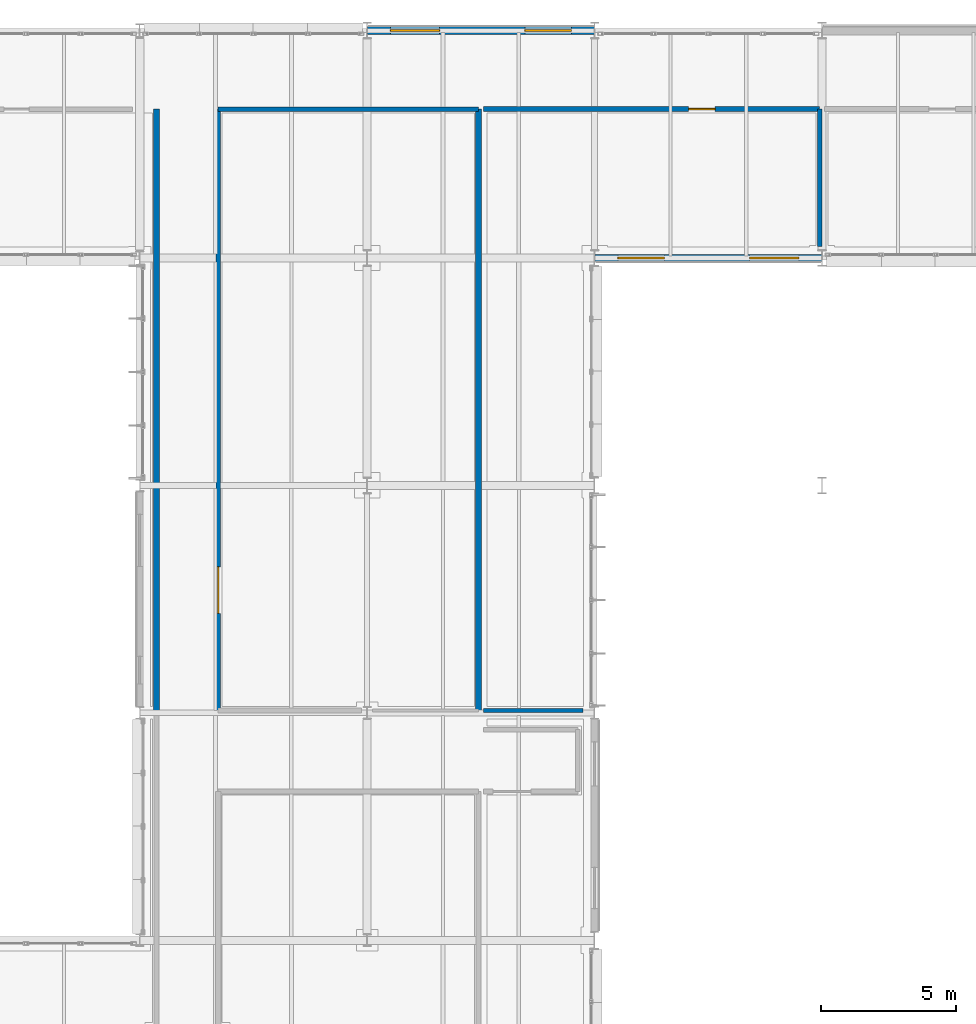
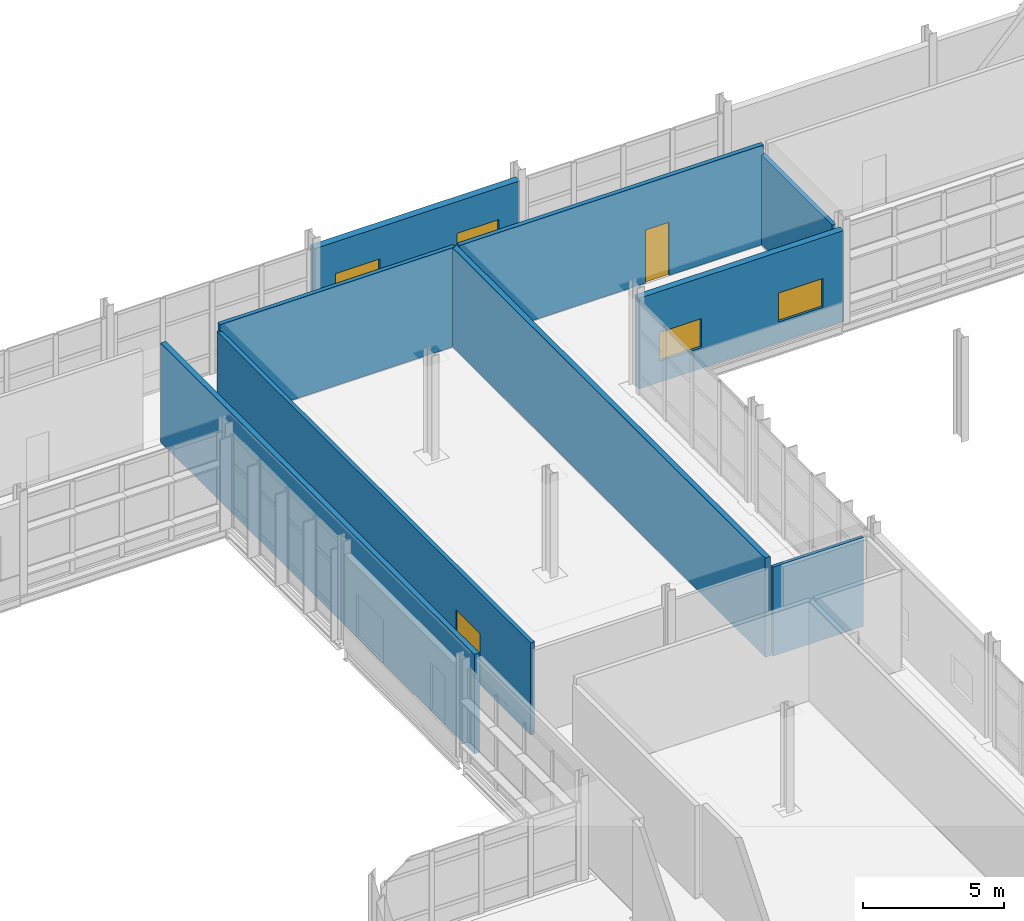
# One storey, part 100 of 129: 9 walls, 4 windows, 2 doors, 6 openings.
"""IFC4 building model written with IfcOpenShell, lengths in metres."""

from ifc_helpers import new_model, si_unit, direction, frame, frame_2d, origin, place, context, subcontext, project, spatial, rectangle, extrude, material, layer, layer_set, type_object, element, fill, save


model = new_model("IFC4")

# Units and contexts
model_context = context("Model", 3, precision=1e-05, world=origin(), true_north=direction((0.0, 1.0)))
body_context = subcontext(model_context, "Body", "Model", "MODEL_VIEW")
ifc_project = project(units=[si_unit("LENGTHUNIT", "METRE"), si_unit("AREAUNIT", "SQUARE_METRE"), si_unit("VOLUMEUNIT", "CUBIC_METRE"), si_unit("PLANEANGLEUNIT", "RADIAN"), si_unit("MASSUNIT", "GRAM", prefix="KILO")], contexts=[model_context])

# Site, building, storey
site_placement = place(None, origin())
site = spatial("IfcSite", under=ifc_project, at=site_placement, CompositionType="ELEMENT")
building_placement = place(site_placement, origin())
building = spatial("IfcBuilding", under=site, at=building_placement, Name="Mersafa Astral City Hall", CompositionType="ELEMENT")
storey_placement = place(building_placement, frame((0.0, 0.0, 5.39990234375)))
storey = spatial("IfcBuildingStorey", under=building, at=storey_placement, Name="L01", CompositionType="ELEMENT", Elevation=5.39990234375)

# Wall, openings, windows
ifc_material_1 = material(Name="Precast concrete C40/50 insulated limestone wall", Category="masonry")
ifc_layer_1 = layer(ifc_material_1, 0.264892578125, Name="Precast concrete C40/50 insulated limestone wall")
ifc_layer_set_1 = layer_set([ifc_layer_1], Name="Precast concrete C40/50 insulated limestone wall — ENV-WAL-EXT-265")
wall_type_1 = type_object("IfcWallType", Name="ENV-WAL-EXT-265", PredefinedType="STANDARD", material=ifc_layer_set_1)
wall_1_placement = place(storey_placement, frame((117.60791015625, 117.60009765625, 0.0), z_axis=(0.0, 0.0, 1.0), x_axis=(1.0, 0.0, 0.0)))
wall_1 = element("IfcWall", 1, at=wall_1_placement, inside=storey, type_object=wall_type_1, Name="L01 Limestone-clad exterior wall 93", PredefinedType="STANDARD", context=body_context, shape_type="SweptSolid", body=[
    extrude(rectangle(XDim=8.384033203125, YDim=0.264892578125, at=frame_2d((4.19189453125, 0.0))), origin(), (0.0, 0.0, 1.0), 3.922119140625),
])
opening_1_placement = place(wall_1_placement, frame((0.85009765625, 0.0, 0.89990234375)))
opening_1 = element("IfcOpeningElement", 2, at=opening_1_placement, cuts=wall_1, Name="Opening W-18", PredefinedType="OPENING", context=body_context, shape_type="SweptSolid", body=[
    extrude(rectangle(XDim=1.719970703125, YDim=1.25, at=frame_2d((0.85986328125, 0.625))), frame((0.0, 0.142333984375, 0.0), z_axis=(0.0, -1.0, 0.0), x_axis=(1.0, 0.0, 0.0)), (0.0, 0.0, 1.0), 0.284912109375),
])
opening_2_placement = place(wall_1_placement, frame((5.714111328125, 0.0, 0.89990234375)))
opening_2 = element("IfcOpeningElement", 3, at=opening_2_placement, cuts=wall_1, Name="Opening W-19", PredefinedType="OPENING", context=body_context, shape_type="SweptSolid", body=[
    extrude(rectangle(XDim=1.820068359375, YDim=1.25, at=frame_2d((0.91015625, 0.625))), frame((0.0, 0.142333984375, 0.0), z_axis=(0.0, -1.0, 0.0), x_axis=(1.0, 0.0, 0.0)), (0.0, 0.0, 1.0), 0.284912109375),
])
ifc_material_2 = material(Name="Solar control low-e double glazing in bronze frame", Category="glass")
window_type_1 = type_object("IfcWindowType", Name="ENV-WIN-W-18", PartitioningType="SINGLE_PANEL", PredefinedType="WINDOW", material=ifc_material_2)
window_1_placement = place(opening_1_placement, origin())
window_1 = element("IfcWindow", 4, at=window_1_placement, inside=storey, type_object=window_type_1, Name="L01 Solar punched window 93-L", OverallHeight=1.25, OverallWidth=1.719970703125, PartitioningType="SINGLE_PANEL", PredefinedType="WINDOW", context=body_context, shape_type="SweptSolid", body=[
    extrude(rectangle(XDim=1.719970703125, YDim=1.25, at=frame_2d((0.85986328125, 0.625))), frame((0.0, 0.030029296875, 0.0), z_axis=(0.0, -1.0, 0.0), x_axis=(1.0, 0.0, 0.0)), (0.0, 0.0, 1.0), 0.06005859375),
])
fill(opening_1, window_1)
window_type_2 = type_object("IfcWindowType", Name="ENV-WIN-W-19", PartitioningType="SINGLE_PANEL", PredefinedType="WINDOW", material=ifc_material_2)
window_2_placement = place(opening_2_placement, origin())
window_2 = element("IfcWindow", 5, at=window_2_placement, inside=storey, type_object=window_type_2, Name="L01 Solar punched window 93-R", OverallHeight=1.25, OverallWidth=1.820068359375, PartitioningType="SINGLE_PANEL", PredefinedType="WINDOW", context=body_context, shape_type="SweptSolid", body=[
    extrude(rectangle(XDim=1.820068359375, YDim=1.25, at=frame_2d((0.91015625, 0.625))), frame((0.0, 0.030029296875, 0.0), z_axis=(0.0, -1.0, 0.0), x_axis=(1.0, 0.0, 0.0)), (0.0, 0.0, 1.0), 0.06005859375),
])
fill(opening_2, window_2)

ifc_layer_2 = layer(ifc_material_1, 0.294921875, Name="Precast concrete C40/50 insulated limestone wall")
ifc_layer_set_2 = layer_set([ifc_layer_2], Name="Precast concrete C40/50 insulated limestone wall — ENV-WAL-EXT-295")
wall_type_2 = type_object("IfcWallType", Name="ENV-WAL-EXT-295", PredefinedType="STANDARD", material=ifc_layer_set_2)
wall_2_placement = place(storey_placement, frame((117.592041015625, 126.0, 0.0), z_axis=(0.0, 0.0, 1.0), x_axis=(-1.0, 0.0, 0.0)))
wall_2 = element("IfcWall", 6, at=wall_2_placement, inside=storey, type_object=wall_type_2, Name="L01 Limestone-clad exterior wall 115", PredefinedType="STANDARD", context=body_context, shape_type="SweptSolid", body=[
    extrude(rectangle(XDim=8.384033203125, YDim=0.294921875, at=frame_2d((4.19189453125, 0.0))), origin(), (0.0, 0.0, 1.0), 3.922119140625),
])
opening_3_placement = place(wall_2_placement, frame((0.85009765625, 0.0, 0.89990234375)))
opening_3 = element("IfcOpeningElement", 7, at=opening_3_placement, cuts=wall_2, Name="Opening W-38", PredefinedType="OPENING", context=body_context, shape_type="SweptSolid", body=[
    extrude(rectangle(XDim=1.719970703125, YDim=1.64990234375, at=frame_2d((0.85986328125, 0.824951171875))), frame((0.0, 0.157470703125, 0.0), z_axis=(0.0, -1.0, 0.0), x_axis=(1.0, 0.0, 0.0)), (0.0, 0.0, 1.0), 0.31494140625),
])
opening_4_placement = place(wall_2_placement, frame((5.714111328125, 0.0, 0.89990234375)))
opening_4 = element("IfcOpeningElement", 8, at=opening_4_placement, cuts=wall_2, Name="Opening W-39", PredefinedType="OPENING", context=body_context, shape_type="SweptSolid", body=[
    extrude(rectangle(XDim=1.820068359375, YDim=1.64990234375, at=frame_2d((0.91015625, 0.824951171875))), frame((0.0, 0.157470703125, 0.0), z_axis=(0.0, -1.0, 0.0), x_axis=(1.0, 0.0, 0.0)), (0.0, 0.0, 1.0), 0.31494140625),
])
window_type_3 = type_object("IfcWindowType", Name="ENV-WIN-W-38", PartitioningType="SINGLE_PANEL", PredefinedType="WINDOW", material=ifc_material_2)
window_3_placement = place(opening_3_placement, origin())
window_3 = element("IfcWindow", 9, at=window_3_placement, inside=storey, type_object=window_type_3, Name="L01 Solar punched window 115-L", OverallHeight=1.64990234375, OverallWidth=1.719970703125, PartitioningType="SINGLE_PANEL", PredefinedType="WINDOW", context=body_context, shape_type="SweptSolid", body=[
    extrude(rectangle(XDim=1.719970703125, YDim=1.64990234375, at=frame_2d((0.85986328125, 0.824951171875))), frame((0.0, 0.030029296875, 0.0), z_axis=(0.0, -1.0, 0.0), x_axis=(1.0, 0.0, 0.0)), (0.0, 0.0, 1.0), 0.06005859375),
])
fill(opening_3, window_3)
window_type_4 = type_object("IfcWindowType", Name="ENV-WIN-W-39", PartitioningType="SINGLE_PANEL", PredefinedType="WINDOW", material=ifc_material_2)
window_4_placement = place(opening_4_placement, origin())
window_4 = element("IfcWindow", 10, at=window_4_placement, inside=storey, type_object=window_type_4, Name="L01 Solar punched window 115-R", OverallHeight=1.64990234375, OverallWidth=1.820068359375, PartitioningType="SINGLE_PANEL", PredefinedType="WINDOW", context=body_context, shape_type="SweptSolid", body=[
    extrude(rectangle(XDim=1.820068359375, YDim=1.64990234375, at=frame_2d((0.91015625, 0.824951171875))), frame((0.0, 0.030029296875, 0.0), z_axis=(0.0, -1.0, 0.0), x_axis=(1.0, 0.0, 0.0)), (0.0, 0.0, 1.0), 0.06005859375),
])
fill(opening_4, window_4)

# Walls
ifc_material_3 = material(Name="Acoustic steel-stud gypsum partition", Category="steel")
ifc_layer_3 = layer(ifc_material_3, 0.135009765625, Name="Acoustic steel-stud gypsum partition")
ifc_layer_set_3 = layer_set([ifc_layer_3], Name="Acoustic steel-stud gypsum partition — INT-WAL-PART-EI30-135")
wall_type_3 = type_object("IfcWallType", Name="INT-WAL-PART-EI30-135", PredefinedType="STANDARD", material=ifc_layer_set_3)
wall_3_placement = place(storey_placement, frame((117.179931640625, 100.889892578125, -0.00390625), z_axis=(0.0, 0.0, 1.0), x_axis=(-1.0, 0.0, 0.0)))
element("IfcWall", 11, at=wall_3_placement, inside=storey, type_object=wall_type_3, Name="L01 Interior partition wall 289", PredefinedType="STANDARD", context=body_context, shape_type="SweptSolid", body=[
    extrude(rectangle(XDim=3.68994140625, YDim=0.135009765625, at=frame_2d((1.844970703125, 0.0))), origin(), (0.0, 0.0, 1.0), 3.845947265625),
])
ifc_material_4 = material(Name="Fire-rated gypsum stud partition", Category="gypsum")
ifc_layer_4 = layer(ifc_material_4, 0.1650390625, Name="Fire-rated gypsum stud partition")
ifc_layer_set_4 = layer_set([ifc_layer_4], Name="Fire-rated gypsum stud partition — INT-WAL-PART-EI60-165")
wall_type_4 = type_object("IfcWallType", Name="INT-WAL-PART-EI60-165", PredefinedType="STANDARD", material=ifc_layer_set_4)
wall_4_placement = place(storey_placement, frame((103.699951171875, 123.10009765625, -0.00390625), z_axis=(0.0, 0.0, 1.0), x_axis=(1.0, 0.0, 0.0)))
element("IfcWall", 12, at=wall_4_placement, inside=storey, type_object=wall_type_4, Name="L01 Interior partition wall 279", PredefinedType="STANDARD", context=body_context, shape_type="SweptSolid", body=[
    extrude(rectangle(XDim=9.610107421875, YDim=0.1650390625, at=frame_2d((4.80517578125, 0.0))), origin(), (0.0, 0.0, 1.0), 4.2939453125),
])

# Wall, opening, door
wall_5_placement = place(storey_placement, frame((103.699951171875, 100.889892578125, -0.00390625), z_axis=(0.0, 0.0, 1.0), x_axis=(0.0, 1.0, 0.0)))
wall_5 = element("IfcWall", 13, at=wall_5_placement, inside=storey, type_object=wall_type_4, Name="L01 Interior partition wall 283", PredefinedType="STANDARD", context=body_context, shape_type="SweptSolid", body=[
    extrude(rectangle(XDim=22.210205078125, YDim=0.1650390625, at=frame_2d((11.10498046875, 0.0))), origin(), (0.0, 0.0, 1.0), 3.986083984375),
])
opening_5_placement = place(wall_5_placement, frame((3.58203125, 0.0, 0.0)))
opening_5 = element("IfcOpeningElement", 14, at=opening_5_placement, cuts=wall_5, Name="Opening D-27", PredefinedType="OPENING", context=body_context, shape_type="SweptSolid", body=[
    extrude(rectangle(XDim=1.719970703125, YDim=2.219970703125, at=frame_2d((0.85986328125, 1.10986328125))), frame((0.0, 0.092529296875, 0.0), z_axis=(0.0, -1.0, 0.0), x_axis=(1.0, 0.0, 0.0)), (0.0, 0.0, 1.0), 0.18505859375),
])
ifc_material_5 = material(Name="Cedar veneered acoustic fire-rated timber door", Category="wood")
door_type_1 = type_object("IfcDoorType", Name="INT-DR-RM-D-27", OperationType="NOTDEFINED", PredefinedType="DOOR", material=ifc_material_5)
door_1_placement = place(opening_5_placement, origin())
door_1 = element("IfcDoor", 15, at=door_1_placement, inside=storey, type_object=door_type_1, Name="L01 Citizens Service Centre L01-02 Entrance Door", OperationType="SINGLE_SWING_LEFT", OverallHeight=2.219970703125, OverallWidth=1.719970703125, PredefinedType="DOOR", context=body_context, shape_type="SweptSolid", body=[
    extrude(rectangle(XDim=1.719970703125, YDim=2.219970703125, at=frame_2d((0.85986328125, 1.10986328125))), frame((0.0, 0.02490234375, 0.0), z_axis=(0.0, -1.0, 0.0), x_axis=(1.0, 0.0, 0.0)), (0.0, 0.0, 1.0), 0.050048828125),
])
fill(opening_5, door_1)

# Wall
wall_6_placement = place(storey_placement, frame((125.909912109375, 123.10009765625, -0.00390625), z_axis=(0.0, 0.0, 1.0), x_axis=(0.0, -1.0, 0.0)))
element("IfcWall", 16, at=wall_6_placement, inside=storey, type_object=wall_type_4, Name="L01 Interior partition wall 291", PredefinedType="STANDARD", context=body_context, shape_type="SweptSolid", body=[
    extrude(rectangle(XDim=5.080078125, YDim=0.1650390625, at=frame_2d((2.5400390625, 0.0))), origin(), (0.0, 0.0, 1.0), 3.885986328125),
])

# Wall, opening, door
ifc_material_6 = material(Name="Acoustic twin-stud gypsum partition", Category="gypsum")
ifc_layer_5 = layer(ifc_material_6, 0.179931640625, Name="Acoustic twin-stud gypsum partition")
ifc_layer_set_5 = layer_set([ifc_layer_5], Name="Acoustic twin-stud gypsum partition — INT-WAL-PART-EI60-180")
wall_type_5 = type_object("IfcWallType", Name="INT-WAL-PART-EI60-180", PredefinedType="STANDARD", material=ifc_layer_set_5)
wall_7_placement = place(storey_placement, frame((113.489990234375, 123.10009765625, -0.00390625), z_axis=(0.0, 0.0, 1.0), x_axis=(1.0, 0.0, 0.0)))
wall_7 = element("IfcWall", 17, at=wall_7_placement, inside=storey, type_object=wall_type_5, Name="L01 Interior partition wall 290", PredefinedType="STANDARD", context=body_context, shape_type="SweptSolid", body=[
    extrude(rectangle(XDim=12.419921875, YDim=0.179931640625, at=frame_2d((6.2099609375, 0.0))), origin(), (0.0, 0.0, 1.0), 4.2939453125),
])
opening_6_placement = place(wall_7_placement, frame((7.5830078125, 0.0, 0.0)))
opening_6 = element("IfcOpeningElement", 18, at=opening_6_placement, cuts=wall_7, Name="Opening D-29", PredefinedType="OPENING", context=body_context, shape_type="SweptSolid", body=[
    extrude(rectangle(XDim=0.97998046875, YDim=2.300048828125, at=frame_2d((0.489990234375, 1.14990234375))), frame((0.0, 0.099853515625, 0.0), z_axis=(0.0, -1.0, 0.0), x_axis=(1.0, 0.0, 0.0)), (0.0, 0.0, 1.0), 0.199951171875),
])
door_type_2 = type_object("IfcDoorType", Name="INT-DR-RM-D-29", OperationType="NOTDEFINED", PredefinedType="DOOR", material=ifc_material_5)
door_2_placement = place(opening_6_placement, origin())
door_2 = element("IfcDoor", 19, at=door_2_placement, inside=storey, type_object=door_type_2, Name="L01 Members Reading Room L01-04 Entrance Door", OperationType="SINGLE_SWING_LEFT", OverallHeight=2.300048828125, OverallWidth=0.97998046875, PredefinedType="DOOR", context=body_context, shape_type="SweptSolid", body=[
    extrude(rectangle(XDim=0.97998046875, YDim=2.300048828125, at=frame_2d((0.489990234375, 1.14990234375))), frame((0.0, 0.02490234375, 0.0), z_axis=(0.0, -1.0, 0.0), x_axis=(1.0, 0.0, 0.0)), (0.0, 0.0, 1.0), 0.050048828125),
])
fill(opening_6, door_2)

# Walls
ifc_material_7 = material(Name="Autoclaved aerated concrete blockwork plastered", Category="masonry")
ifc_layer_6 = layer(ifc_material_7, 0.2099609375, Name="Autoclaved aerated concrete blockwork plastered")
ifc_layer_set_6 = layer_set([ifc_layer_6], Name="Autoclaved aerated concrete blockwork plastered — INT-WAL-PART-EI60-210")
wall_type_6 = type_object("IfcWallType", Name="INT-WAL-PART-EI60-210", PredefinedType="STANDARD", material=ifc_layer_set_6)
for number, where, z_axis, x_axis, name in (
    (20, (113.31005859375, 123.10009765625, -0.00390625), (0.0, 0.0, 1.0), (0.0, -1.0, 0.0), "L01 Interior partition wall 280"),
    (21, (101.419921875, 123.10009765625, -0.00390625), (0.0, 0.0, 1.0), (0.0, -1.0, 0.0), "L01 Interior partition wall 352"),
):
    element("IfcWall", number, at=place(storey_placement, frame(where, z_axis=z_axis, x_axis=x_axis)), inside=storey, type_object=wall_type_6, Name=name, PredefinedType="STANDARD", context=body_context, shape_type="SweptSolid", body=[
        extrude(rectangle(XDim=22.210205078125, YDim=0.2099609375, at=frame_2d((11.10498046875, 0.0))), origin(), (0.0, 0.0, 1.0), 4.2939453125),
    ])

save(model, "model.ifc")
